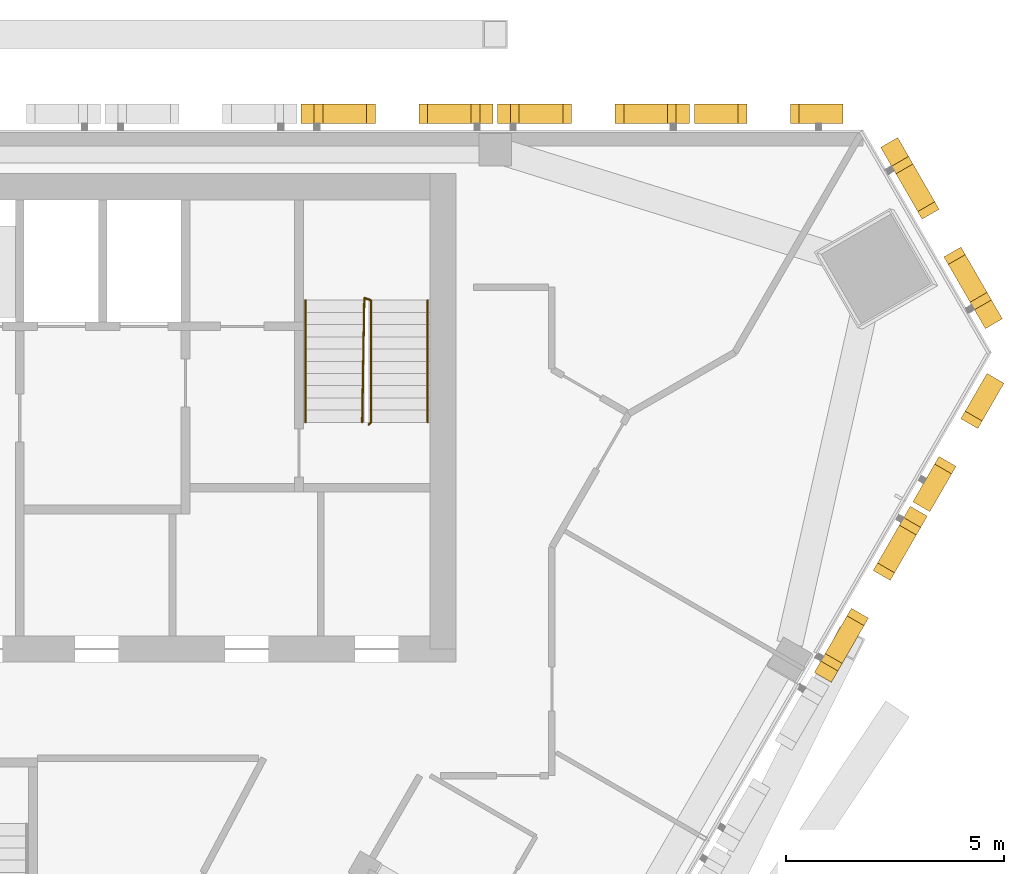
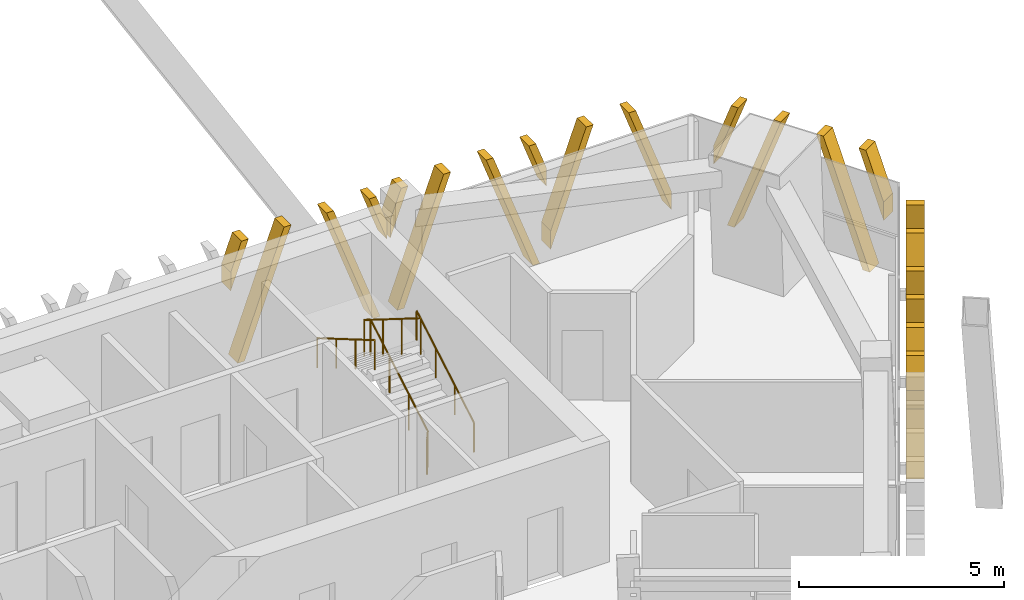
# One storey, part 21 of 22: 6 shading devices, 3 railings.
"""IFC4 building model written with IfcOpenShell, lengths in metres."""

from ifc_helpers import new_model, si_unit, direction, frame, origin, origin_2d, place, context, subcontext, project, spatial, polyline, circle, outline, extrude, source, transform, mapped, material, type_object, element, save


model = new_model("IFC4")

# Units and contexts
model_context = context("Model", 3, precision=1e-05, world=origin(), true_north=direction((0.0, 1.0)))
body_context = subcontext(model_context, "Body", "Model", "MODEL_VIEW")
ifc_project = project(units=[si_unit("LENGTHUNIT", "METRE"), si_unit("AREAUNIT", "SQUARE_METRE"), si_unit("VOLUMEUNIT", "CUBIC_METRE"), si_unit("PLANEANGLEUNIT", "RADIAN"), si_unit("MASSUNIT", "GRAM", prefix="KILO")], contexts=[model_context])

# Site, building, storey
site_placement = place(None, origin())
site = spatial("IfcSite", under=ifc_project, at=site_placement, CompositionType="ELEMENT")
building_placement = place(site_placement, origin())
building = spatial("IfcBuilding", under=site, at=building_placement, Name="Altiplano Prism Tower", CompositionType="ELEMENT")
storey_placement = place(building_placement, frame((0.0, 0.0, 219.39990234375)))
storey = spatial("IfcBuildingStorey", under=building, at=storey_placement, Name="L56", CompositionType="ELEMENT", Elevation=219.39990234375)

# Railings
ifc_material_1 = material(Name="Steel S355", Category="steel")
railing_type_1 = type_object("IfcRailingType", Name="Stair guard 1100", PredefinedType="GUARDRAIL", material=ifc_material_1)
railing_1_placement = place(storey_placement, frame((95.60009765625, 98.25, 0.0)))
element("IfcRailing", 1, at=railing_1_placement, inside=storey, type_object=railing_type_1, Name="L56 ST2 stair guard 1", PredefinedType="GUARDRAIL", context=body_context, shape_type="SweptSolid", body=[
    extrude(circle(Radius=0.02392578125, at=origin_2d()), frame((0.0, 0.0, 1.076171875), z_axis=(0.279194930351, 0.280563532951, 0.91833234444), x_axis=(-0.708833529934, 0.705375805398, 0.0)), (0.0, 0.0, 1.0), 0.178466796875),
    extrude(circle(Radius=0.02392578125, at=origin_2d()), frame((0.0498046875, 0.050048828125, 1.23974609375), z_axis=(0.0, 0.863393664356, 0.504530851732), x_axis=(-1.0, 0.0, 0.0)), (0.0, 0.0, 1.0), 3.2431640625),
    extrude(circle(Radius=0.02392578125, at=origin_2d()), frame((0.0498046875, 2.85009765625, 2.8759765625), z_axis=(-0.948991962702, 0.315300261223, 0.0), x_axis=(-0.315300261223, -0.948991962702, 0.0)), (0.0, 0.0, 1.0), 0.157958984375),
    extrude(circle(Radius=0.02392578125, at=origin_2d()), frame((-0.10009765625, 2.89990234375, 2.8759765625), z_axis=(-0.014846418356, -0.845376787675, 0.533964109957), x_axis=(0.999845825584, -0.017559187376, 0.0)), (0.0, 0.0, 1.0), 3.37109375),
    extrude(circle(Radius=0.02099609375, at=origin_2d()), origin(), (0.0, 0.0, 1.0), 1.052001953125),
    extrude(circle(Radius=0.02099609375, at=origin_2d()), frame((0.0498046875, 0.050048828125, 0.163818359375)), (0.0, 0.0, 1.0), 1.052001953125),
    extrude(circle(Radius=0.02099609375, at=origin_2d()), frame((0.0498046875, 0.9833984375, 0.709228515625)), (0.0, 0.0, 1.0), 1.052001953125),
    extrude(circle(Radius=0.02099609375, at=origin_2d()), frame((0.0498046875, 1.916748046875, 1.254638671875)), (0.0, 0.0, 1.0), 1.052001953125),
    extrude(circle(Radius=0.02099609375, at=origin_2d()), frame((0.0498046875, 2.85009765625, 1.800048828125)), (0.0, 0.0, 1.0), 1.052001953125),
    extrude(circle(Radius=0.02099609375, at=origin_2d()), frame((-0.10009765625, 2.89990234375, 1.800048828125)), (0.0, 0.0, 1.0), 1.052001953125),
    extrude(circle(Radius=0.02099609375, at=origin_2d()), frame((-0.11669921875, 1.949951171875, 2.400146484375)), (0.0, 0.0, 1.0), 1.052001953125),
    extrude(circle(Radius=0.02099609375, at=origin_2d()), frame((-0.133544921875, 1.0, 3.0)), (0.0, 0.0, 1.0), 1.052001953125),
    extrude(circle(Radius=0.02099609375, at=origin_2d()), frame((-0.150146484375, 0.050048828125, 3.60009765625)), (0.0, 0.0, 1.0), 1.052001953125),
])
railing_type_2 = type_object("IfcRailingType", Name="Stair handrail 900", PredefinedType="HANDRAIL", material=ifc_material_1)
railing_2_placement = place(storey_placement, frame((96.949951171875, 98.300048828125, 0.163818359375)))
element("IfcRailing", 2, at=railing_2_placement, inside=storey, type_object=railing_type_2, Name="L56 ST2 stair handrail 1", PredefinedType="HANDRAIL", context=body_context, shape_type="SweptSolid", body=[
    extrude(circle(Radius=0.02392578125, at=origin_2d()), frame((0.0, 0.0, 0.8759765625), z_axis=(0.0, 0.863393664356, 0.504530851732), x_axis=(-1.0, 0.0, 0.0)), (0.0, 0.0, 1.0), 3.2431640625),
    extrude(circle(Radius=0.02099609375, at=origin_2d()), origin(), (0.0, 0.0, 1.0), 0.851806640625),
    extrude(circle(Radius=0.02099609375, at=origin_2d()), frame((0.0, 0.933349609375, 0.54541015625)), (0.0, 0.0, 1.0), 0.851806640625),
    extrude(circle(Radius=0.02099609375, at=origin_2d()), frame((0.0, 1.86669921875, 1.0908203125)), (0.0, 0.0, 1.0), 0.851806640625),
    extrude(circle(Radius=0.02099609375, at=origin_2d()), frame((0.0, 2.800048828125, 1.63623046875)), (0.0, 0.0, 1.0), 0.851806640625),
])
railing_3_placement = place(storey_placement, frame((94.14990234375, 101.10009765625, 1.963623046875)))
element("IfcRailing", 3, at=railing_3_placement, inside=storey, type_object=railing_type_2, Name="L56 ST2 stair handrail 2", PredefinedType="HANDRAIL", context=body_context, shape_type="SweptSolid", body=[
    extrude(circle(Radius=0.02392578125, at=origin_2d()), frame((0.0, 0.0, 0.8759765625), z_axis=(0.0, -0.863360870873, 0.504586966384), x_axis=(1.0, 0.0, 0.0)), (0.0, 0.0, 1.0), 3.2431640625),
    extrude(circle(Radius=0.02099609375, at=origin_2d()), origin(), (0.0, 0.0, 1.0), 0.851806640625),
    extrude(circle(Radius=0.02099609375, at=origin_2d()), frame((0.0, -0.933349609375, 0.54541015625)), (0.0, 0.0, 1.0), 0.851806640625),
    extrude(circle(Radius=0.02099609375, at=origin_2d()), frame((0.0, -1.86669921875, 1.091064453125)), (0.0, 0.0, 1.0), 0.851806640625),
    extrude(circle(Radius=0.02099609375, at=origin_2d()), frame((0.0, -2.800048828125, 1.636474609375)), (0.0, 0.0, 1.0), 0.851806640625),
])

# Shading devices
ifc_material_2 = material(Name="Warm limestone cast stone", Category="masonry")
shading_device_type_1 = type_object("IfcShadingDeviceType", Name="Stone fin panel, standard unit", PredefinedType="USERDEFINED", material=ifc_material_2)
shared_shape_1 = source(origin(), body_context, "Body", "SweptSolid", [
    extrude(outline(polyline([(-2.199951171875, 2.226318359375), (-1.699951171875, 3.60009765625), (-1.89990234375, 3.60009765625), (-2.199951171875, 2.77587890625), (-2.199951171875, 2.226318359375)])), frame((0.0, -0.14990234375, 0.0), z_axis=(0.0, -1.0, 0.0), x_axis=(1.0, 0.0, 0.0)), (0.0, 0.0, 1.0), 0.4501953125),
    extrude(outline(polyline([(-2.01025390625, 0.0), (-1.810302734375, 0.0), (-0.5, 3.60009765625), (-0.699951171875, 3.60009765625), (-2.01025390625, 0.0)])), frame((0.0, -0.14990234375, 0.0), z_axis=(0.0, -1.0, 0.0), x_axis=(1.0, 0.0, 0.0)), (0.0, 0.0, 1.0), 0.4501953125),
    extrude(outline(polyline([(1.810302734375, 0.0), (2.01025390625, 0.0), (0.699951171875, 3.60009765625), (0.5, 3.60009765625), (1.810302734375, 0.0)])), frame((0.0, -0.14990234375, 0.0), z_axis=(0.0, -1.0, 0.0), x_axis=(1.0, 0.0, 0.0)), (0.0, 0.0, 1.0), 0.4501953125),
    extrude(outline(polyline([(2.199951171875, 2.77587890625), (1.89990234375, 3.60009765625), (1.699951171875, 3.60009765625), (2.199951171875, 2.226318359375), (2.199951171875, 2.77587890625)])), frame((0.0, -0.14990234375, 0.0), z_axis=(0.0, -1.0, 0.0), x_axis=(1.0, 0.0, 0.0)), (0.0, 0.0, 1.0), 0.4501953125),
])
shading_device_1_placement = place(storey_placement, origin())
element("IfcShadingDevice", 4, at=shading_device_1_placement, inside=storey, type_object=shading_device_type_1, Name="Fin L56 north face 2", ObjectType="FIN", PredefinedType="USERDEFINED", context=body_context, shape_type="MappedRepresentation", body=[
    mapped(shared_shape_1, transform((100.75, 105.0, -0.39990234375), x_axis=(-1.0, 0.0, 0.0), y_axis=(0.0, -1.0, 0.0), z_axis=(0.0, 0.0, 1.0))),
])
shading_device_2_placement = place(storey_placement, origin())
element("IfcShadingDevice", 5, at=shading_device_2_placement, inside=storey, type_object=shading_device_type_1, Name="Fin L56 north face 3", ObjectType="FIN", PredefinedType="USERDEFINED", context=body_context, shape_type="MappedRepresentation", body=[
    mapped(shared_shape_1, transform((96.25, 105.0, -0.39990234375), x_axis=(-1.0, 0.0, 0.0), y_axis=(0.0, -1.0, 0.0), z_axis=(0.0, 0.0, 1.0))),
])
shading_device_3_placement = place(storey_placement, origin())
element("IfcShadingDevice", 6, at=shading_device_3_placement, inside=storey, type_object=shading_device_type_1, Name="Fin L56 south-east face 9", ObjectType="FIN", PredefinedType="USERDEFINED", context=body_context, shape_type="MappedRepresentation", body=[
    mapped(shared_shape_1, transform((106.78662109375, 94.54443359375, -0.39990234375), x_axis=(0.499999980144, 0.866025415249, 0.0), y_axis=(-0.866025415249, 0.499999980144, 0.0), z_axis=(0.0, 0.0, 1.0))),
])
shading_device_type_2 = type_object("IfcShadingDeviceType", Name="Stone fin panel, narrow closing bay", PredefinedType="USERDEFINED", material=ifc_material_2)
shared_shape_2 = source(origin(), body_context, "Body", "SweptSolid", [
    extrude(outline(polyline([(-1.699951171875, 0.302978515625), (-0.5, 3.60009765625), (-0.699951171875, 3.60009765625), (-1.699951171875, 0.8525390625), (-1.699951171875, 0.302978515625)])), frame((0.0, -0.14990234375, 0.0), z_axis=(0.0, -1.0, 0.0), x_axis=(1.0, 0.0, 0.0)), (0.0, 0.0, 1.0), 0.4501953125),
    extrude(outline(polyline([(1.699951171875, 0.8525390625), (0.699951171875, 3.60009765625), (0.5, 3.60009765625), (1.699951171875, 0.302978515625), (1.699951171875, 0.8525390625)])), frame((0.0, -0.14990234375, 0.0), z_axis=(0.0, -1.0, 0.0), x_axis=(1.0, 0.0, 0.0)), (0.0, 0.0, 1.0), 0.4501953125),
])
shading_device_4_placement = place(storey_placement, origin())
element("IfcShadingDevice", 7, at=shading_device_4_placement, inside=storey, type_object=shading_device_type_2, Name="Fin L56 north face 1", ObjectType="FIN", PredefinedType="USERDEFINED", context=body_context, shape_type="MappedRepresentation", body=[
    mapped(shared_shape_2, transform((104.768310546875, 105.0, -0.39990234375), x_axis=(-1.0, 0.0, 0.0), y_axis=(0.0, -1.0, 0.0), z_axis=(0.0, 0.0, 1.0))),
])
shading_device_5_placement = place(storey_placement, origin())
element("IfcShadingDevice", 8, at=shading_device_5_placement, inside=storey, type_object=shading_device_type_2, Name="Fin L56 south-east face 10", ObjectType="FIN", PredefinedType="USERDEFINED", context=body_context, shape_type="MappedRepresentation", body=[
    mapped(shared_shape_2, transform((108.795654296875, 98.0244140625, -0.39990234375), x_axis=(0.499999980144, 0.866025415249, 0.0), y_axis=(-0.866025415249, 0.499999980144, 0.0), z_axis=(0.0, 0.0, 1.0))),
])
shading_device_type_3 = type_object("IfcShadingDeviceType", Name="Stone fin panel, chamfer unit", PredefinedType="USERDEFINED", material=ifc_material_2)
shared_shape_3 = source(origin(), body_context, "Body", "SweptSolid", [
    extrude(outline(polyline([(-2.39990234375, 1.6767578125), (-1.699951171875, 3.60009765625), (-1.89990234375, 3.60009765625), (-2.39990234375, 2.226318359375), (-2.39990234375, 1.6767578125)])), frame((0.0, -0.14990234375, 0.0), z_axis=(0.0, -1.0, 0.0), x_axis=(1.0, 0.0, 0.0)), (0.0, 0.0, 1.0), 0.4501953125),
    extrude(outline(polyline([(-2.01025390625, 0.0), (-1.810302734375, 0.0), (-0.5, 3.60009765625), (-0.699951171875, 3.60009765625), (-2.01025390625, 0.0)])), frame((0.0, -0.14990234375, 0.0), z_axis=(0.0, -1.0, 0.0), x_axis=(1.0, 0.0, 0.0)), (0.0, 0.0, 1.0), 0.4501953125),
    extrude(outline(polyline([(1.810302734375, 0.0), (2.01025390625, 0.0), (0.699951171875, 3.60009765625), (0.5, 3.60009765625), (1.810302734375, 0.0)])), frame((0.0, -0.14990234375, 0.0), z_axis=(0.0, -1.0, 0.0), x_axis=(1.0, 0.0, 0.0)), (0.0, 0.0, 1.0), 0.4501953125),
    extrude(outline(polyline([(2.39990234375, 2.226318359375), (1.89990234375, 3.60009765625), (1.699951171875, 3.60009765625), (2.39990234375, 1.6767578125), (2.39990234375, 2.226318359375)])), frame((0.0, -0.14990234375, 0.0), z_axis=(0.0, -1.0, 0.0), x_axis=(1.0, 0.0, 0.0)), (0.0, 0.0, 1.0), 0.4501953125),
])
shading_device_6_placement = place(storey_placement, origin())
element("IfcShadingDevice", 9, at=shading_device_6_placement, inside=storey, type_object=shading_device_type_3, Name="Fin L56 north-east chamfer 1", ObjectType="FIN", PredefinedType="USERDEFINED", context=body_context, shape_type="MappedRepresentation", body=[
    mapped(shared_shape_3, transform((108.408203125, 102.451171875, -0.39990234375), x_axis=(-0.499999937818, 0.866025439685, 0.0), y_axis=(-0.866025439685, -0.499999937818, 0.0), z_axis=(0.0, 0.0, 1.0))),
])

save(model, "model.ifc")
